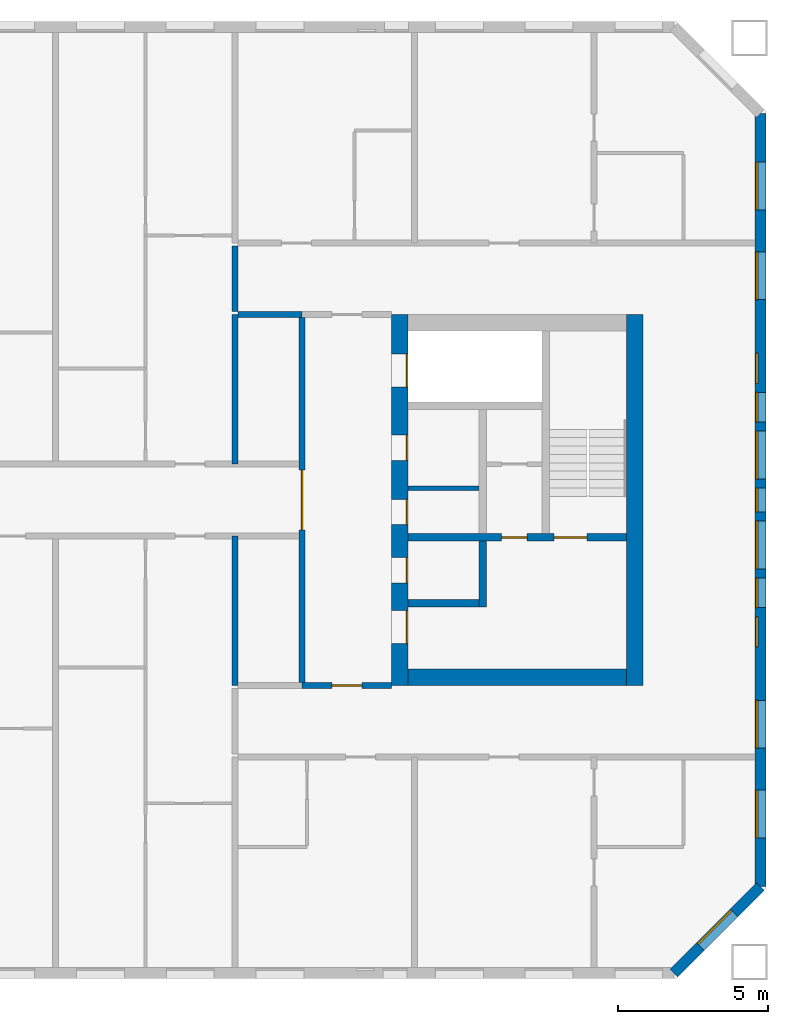
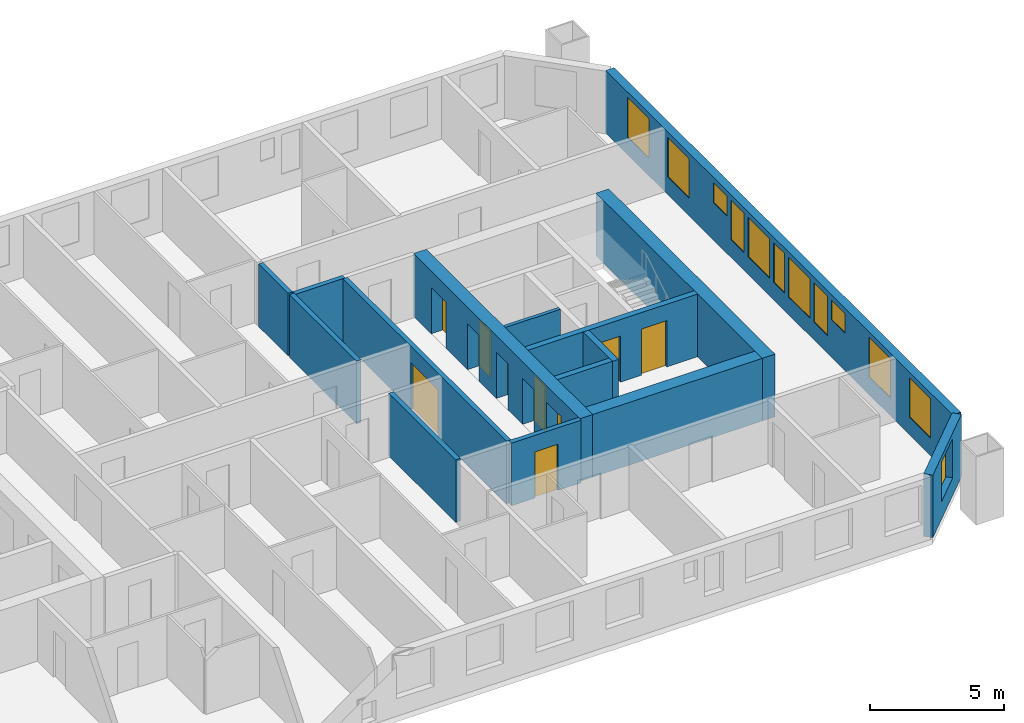
# One storey, part 13 of 16: 15 walls, 12 windows, 9 doors, 21 openings.
"""IFC4 building model written with IfcOpenShell, lengths in metres."""

from ifc_helpers import new_model, si_unit, direction, frame, frame_2d, origin, place, context, subcontext, project, spatial, rectangle, extrude, material, layer, layer_set, type_object, element, fill, save


model = new_model("IFC4")

# Units and contexts
model_context = context("Model", 3, precision=1e-05, world=origin(), true_north=direction((0.0, 1.0)))
body_context = subcontext(model_context, "Body", "Model", "MODEL_VIEW")
ifc_project = project(units=[si_unit("LENGTHUNIT", "METRE"), si_unit("AREAUNIT", "SQUARE_METRE"), si_unit("VOLUMEUNIT", "CUBIC_METRE"), si_unit("PLANEANGLEUNIT", "RADIAN"), si_unit("MASSUNIT", "GRAM", prefix="KILO")], contexts=[model_context])

# Site, building, storey
site_placement = place(None, origin())
site = spatial("IfcSite", under=ifc_project, at=site_placement, CompositionType="ELEMENT")
building_placement = place(site_placement, origin())
building = spatial("IfcBuilding", under=site, at=building_placement, Name="Tuart Gate Housing", CompositionType="ELEMENT")
storey_placement = place(building_placement, frame((0.0, 0.0, 133.0)))
storey = spatial("IfcBuildingStorey", under=building, at=storey_placement, Name="L37", CompositionType="ELEMENT", Elevation=133.0)

# Wall, opening, window
ifc_material_1 = material(Name="Brick", Category="masonry")
ifc_layer_1 = layer(ifc_material_1, 0.360107421875)
ifc_layer_set_1 = layer_set([ifc_layer_1], Name="Brick pier and spandrel wall 360")
wall_type_1 = type_object("IfcWallType", Name="Brick pier and spandrel wall 360", PredefinedType="STANDARD", material=ifc_layer_set_1)
wall_1_placement = place(storey_placement, frame((169.67529296875, 54.179931640625, 0.0), z_axis=(0.0, 0.0, 1.0), x_axis=(0.707106781187, 0.707106781187, 0.0)))
wall_1 = element("IfcWall", 1, at=wall_1_placement, inside=storey, type_object=wall_type_1, Name="External wall B-SE L37", PredefinedType="STANDARD", context=body_context, shape_type="SweptSolid", body=[
    extrude(rectangle(XDim=4.09375, YDim=0.360107421875, at=frame_2d((2.046875, 0.0))), origin(), (0.0, 0.0, 1.0), 2.85009765625),
])
opening_1_placement = place(wall_1_placement, frame((1.2470703125, 0.0, 0.800048828125)))
opening_1 = element("IfcOpeningElement", 2, at=opening_1_placement, cuts=wall_1, Name="Opening W1", PredefinedType="OPENING", context=body_context, shape_type="SweptSolid", body=[
    extrude(rectangle(XDim=1.60009765625, YDim=1.800048828125, at=frame_2d((0.800048828125, 0.89990234375))), frame((0.0, 0.18994140625, 0.0), z_axis=(0.0, -1.0, 0.0), x_axis=(1.0, 0.0, 0.0)), (0.0, 0.0, 1.0), 0.380126953125),
])
ifc_material_2 = material(Name="Aluminium frame with clear glass", Category="aluminium")
window_type_1 = type_object("IfcWindowType", Name="Punched window 1600 x 1800", PartitioningType="SINGLE_PANEL", PredefinedType="WINDOW", material=ifc_material_2)
window_1_placement = place(opening_1_placement, origin())
window_1 = element("IfcWindow", 3, at=window_1_placement, inside=storey, type_object=window_type_1, Name="Window W1", OverallHeight=1.800048828125, OverallWidth=1.60009765625, PartitioningType="SINGLE_PANEL", PredefinedType="WINDOW", context=body_context, shape_type="SweptSolid", body=[
    extrude(rectangle(XDim=1.60009765625, YDim=1.800048828125, at=frame_2d((0.800048828125, 0.89990234375))), frame((0.0, 0.150146484375, 0.0), z_axis=(0.0, -1.0, 0.0), x_axis=(1.0, 0.0, 0.0)), (0.0, 0.0, 1.0), 0.06005859375),
])
fill(opening_1, window_1)

# Wall, openings, windows
wall_2_placement = place(storey_placement, frame((172.570068359375, 57.07470703125, 0.0), z_axis=(0.0, 0.0, 1.0), x_axis=(0.0, 1.0, 0.0)))
wall_2 = element("IfcWall", 4, at=wall_2_placement, inside=storey, type_object=wall_type_1, Name="External wall B-E L37", PredefinedType="STANDARD", context=body_context, shape_type="SweptSolid", body=[
    extrude(rectangle(XDim=25.850830078125, YDim=0.360107421875, at=frame_2d((12.92529296875, 0.0))), origin(), (0.0, 0.0, 1.0), 2.85009765625),
])
opening_2_placement = place(wall_2_placement, frame((1.62548828125, 0.0, 0.800048828125)))
opening_2 = element("IfcOpeningElement", 5, at=opening_2_placement, cuts=wall_2, Name="Opening W1", PredefinedType="OPENING", context=body_context, shape_type="SweptSolid", body=[
    extrude(rectangle(XDim=1.60009765625, YDim=1.800048828125, at=frame_2d((0.800048828125, 0.89990234375))), frame((0.0, 0.18994140625, 0.0), z_axis=(0.0, -1.0, 0.0), x_axis=(1.0, 0.0, 0.0)), (0.0, 0.0, 1.0), 0.380126953125),
])
opening_3_placement = place(wall_2_placement, frame((4.62548828125, 0.0, 0.800048828125)))
opening_3 = element("IfcOpeningElement", 6, at=opening_3_placement, cuts=wall_2, Name="Opening W1", PredefinedType="OPENING", context=body_context, shape_type="SweptSolid", body=[
    extrude(rectangle(XDim=1.60009765625, YDim=1.800048828125, at=frame_2d((0.800048828125, 0.89990234375))), frame((0.0, 0.18994140625, 0.0), z_axis=(0.0, -1.0, 0.0), x_axis=(1.0, 0.0, 0.0)), (0.0, 0.0, 1.0), 0.380126953125),
])
opening_4_placement = place(wall_2_placement, frame((8.025390625, 0.0, 1.699951171875)))
opening_4 = element("IfcOpeningElement", 7, at=opening_4_placement, cuts=wall_2, Name="Opening W1U", PredefinedType="OPENING", context=body_context, shape_type="SweptSolid", body=[
    extrude(rectangle(XDim=1.0, YDim=0.89990234375, at=frame_2d((0.5, 0.449951171875))), frame((0.0, 0.18994140625, 0.0), z_axis=(0.0, -1.0, 0.0), x_axis=(1.0, 0.0, 0.0)), (0.0, 0.0, 1.0), 0.380126953125),
])
opening_5_placement = place(wall_2_placement, frame((10.62548828125, 0.0, 0.800048828125)))
opening_5 = element("IfcOpeningElement", 8, at=opening_5_placement, cuts=wall_2, Name="Opening W1", PredefinedType="OPENING", context=body_context, shape_type="SweptSolid", body=[
    extrude(rectangle(XDim=1.60009765625, YDim=1.800048828125, at=frame_2d((0.800048828125, 0.89990234375))), frame((0.0, 0.18994140625, 0.0), z_axis=(0.0, -1.0, 0.0), x_axis=(1.0, 0.0, 0.0)), (0.0, 0.0, 1.0), 0.380126953125),
])
opening_6_placement = place(wall_2_placement, frame((13.62548828125, 0.0, 0.800048828125)))
opening_6 = element("IfcOpeningElement", 9, at=opening_6_placement, cuts=wall_2, Name="Opening W1", PredefinedType="OPENING", context=body_context, shape_type="SweptSolid", body=[
    extrude(rectangle(XDim=1.60009765625, YDim=1.800048828125, at=frame_2d((0.800048828125, 0.89990234375))), frame((0.0, 0.18994140625, 0.0), z_axis=(0.0, -1.0, 0.0), x_axis=(1.0, 0.0, 0.0)), (0.0, 0.0, 1.0), 0.380126953125),
])
opening_7_placement = place(wall_2_placement, frame((9.325439453125, 0.0, 0.800048828125)))
opening_7 = element("IfcOpeningElement", 10, at=opening_7_placement, cuts=wall_2, Name="Opening W1C", PredefinedType="OPENING", context=body_context, shape_type="SweptSolid", body=[
    extrude(rectangle(XDim=1.0, YDim=1.800048828125, at=frame_2d((0.5, 0.89990234375))), frame((0.0, 0.18994140625, 0.0), z_axis=(0.0, -1.0, 0.0), x_axis=(1.0, 0.0, 0.0)), (0.0, 0.0, 1.0), 0.380126953125),
])
opening_8_placement = place(wall_2_placement, frame((19.62548828125, 0.0, 0.800048828125)))
opening_8 = element("IfcOpeningElement", 11, at=opening_8_placement, cuts=wall_2, Name="Opening W1", PredefinedType="OPENING", context=body_context, shape_type="SweptSolid", body=[
    extrude(rectangle(XDim=1.60009765625, YDim=1.800048828125, at=frame_2d((0.800048828125, 0.89990234375))), frame((0.0, 0.18994140625, 0.0), z_axis=(0.0, -1.0, 0.0), x_axis=(1.0, 0.0, 0.0)), (0.0, 0.0, 1.0), 0.380126953125),
])
opening_9_placement = place(wall_2_placement, frame((22.62548828125, 0.0, 0.800048828125)))
opening_9 = element("IfcOpeningElement", 12, at=opening_9_placement, cuts=wall_2, Name="Opening W1", PredefinedType="OPENING", context=body_context, shape_type="SweptSolid", body=[
    extrude(rectangle(XDim=1.60009765625, YDim=1.800048828125, at=frame_2d((0.800048828125, 0.89990234375))), frame((0.0, 0.18994140625, 0.0), z_axis=(0.0, -1.0, 0.0), x_axis=(1.0, 0.0, 0.0)), (0.0, 0.0, 1.0), 0.380126953125),
])
opening_10_placement = place(wall_2_placement, frame((12.525390625, 0.0, 0.800048828125)))
opening_10 = element("IfcOpeningElement", 13, at=opening_10_placement, cuts=wall_2, Name="Opening W1D", PredefinedType="OPENING", context=body_context, shape_type="SweptSolid", body=[
    extrude(rectangle(XDim=0.800048828125, YDim=1.800048828125, at=frame_2d((0.39990234375, 0.89990234375))), frame((0.0, 0.18994140625, 0.0), z_axis=(0.0, -1.0, 0.0), x_axis=(1.0, 0.0, 0.0)), (0.0, 0.0, 1.0), 0.380126953125),
])
opening_11_placement = place(wall_2_placement, frame((15.525390625, 0.0, 0.800048828125)))
opening_11 = element("IfcOpeningElement", 14, at=opening_11_placement, cuts=wall_2, Name="Opening W1C", PredefinedType="OPENING", context=body_context, shape_type="SweptSolid", body=[
    extrude(rectangle(XDim=1.0, YDim=1.800048828125, at=frame_2d((0.5, 0.89990234375))), frame((0.0, 0.18994140625, 0.0), z_axis=(0.0, -1.0, 0.0), x_axis=(1.0, 0.0, 0.0)), (0.0, 0.0, 1.0), 0.380126953125),
])
opening_12_placement = place(wall_2_placement, frame((16.825439453125, 0.0, 1.699951171875)))
opening_12 = element("IfcOpeningElement", 15, at=opening_12_placement, cuts=wall_2, Name="Opening W1U", PredefinedType="OPENING", context=body_context, shape_type="SweptSolid", body=[
    extrude(rectangle(XDim=1.0, YDim=0.89990234375, at=frame_2d((0.5, 0.449951171875))), frame((0.0, 0.18994140625, 0.0), z_axis=(0.0, -1.0, 0.0), x_axis=(1.0, 0.0, 0.0)), (0.0, 0.0, 1.0), 0.380126953125),
])
ifc_material_3 = material(Name="Aluminium frame with clear glass", Category="aluminium")
window_type_2 = type_object("IfcWindowType", Name="Punched window 1000 x 1800", PartitioningType="SINGLE_PANEL", PredefinedType="WINDOW", material=ifc_material_3)
window_2_placement = place(opening_7_placement, origin())
window_2 = element("IfcWindow", 16, at=window_2_placement, inside=storey, type_object=window_type_2, Name="Window W1C", OverallHeight=1.800048828125, OverallWidth=1.0, PartitioningType="SINGLE_PANEL", PredefinedType="WINDOW", context=body_context, shape_type="SweptSolid", body=[
    extrude(rectangle(XDim=1.0, YDim=1.800048828125, at=frame_2d((0.5, 0.89990234375))), frame((0.0, 0.150146484375, 0.0), z_axis=(0.0, -1.0, 0.0), x_axis=(1.0, 0.0, 0.0)), (0.0, 0.0, 1.0), 0.06005859375),
])
fill(opening_7, window_2)
window_3_placement = place(opening_11_placement, origin())
window_3 = element("IfcWindow", 17, at=window_3_placement, inside=storey, type_object=window_type_2, Name="Window W1C", OverallHeight=1.800048828125, OverallWidth=1.0, PartitioningType="SINGLE_PANEL", PredefinedType="WINDOW", context=body_context, shape_type="SweptSolid", body=[
    extrude(rectangle(XDim=1.0, YDim=1.800048828125, at=frame_2d((0.5, 0.89990234375))), frame((0.0, 0.150146484375, 0.0), z_axis=(0.0, -1.0, 0.0), x_axis=(1.0, 0.0, 0.0)), (0.0, 0.0, 1.0), 0.06005859375),
])
fill(opening_11, window_3)
ifc_material_4 = material(Name="Aluminium frame with clear glass", Category="aluminium")
window_type_3 = type_object("IfcWindowType", Name="Punched window 1000 x 900", PartitioningType="SINGLE_PANEL", PredefinedType="WINDOW", material=ifc_material_4)
window_4_placement = place(opening_4_placement, origin())
window_4 = element("IfcWindow", 18, at=window_4_placement, inside=storey, type_object=window_type_3, Name="Window W1U", OverallHeight=0.89990234375, OverallWidth=1.0, PartitioningType="SINGLE_PANEL", PredefinedType="WINDOW", context=body_context, shape_type="SweptSolid", body=[
    extrude(rectangle(XDim=1.0, YDim=0.89990234375, at=frame_2d((0.5, 0.449951171875))), frame((0.0, 0.150146484375, 0.0), z_axis=(0.0, -1.0, 0.0), x_axis=(1.0, 0.0, 0.0)), (0.0, 0.0, 1.0), 0.06005859375),
])
fill(opening_4, window_4)
window_5_placement = place(opening_12_placement, origin())
window_5 = element("IfcWindow", 19, at=window_5_placement, inside=storey, type_object=window_type_3, Name="Window W1U", OverallHeight=0.89990234375, OverallWidth=1.0, PartitioningType="SINGLE_PANEL", PredefinedType="WINDOW", context=body_context, shape_type="SweptSolid", body=[
    extrude(rectangle(XDim=1.0, YDim=0.89990234375, at=frame_2d((0.5, 0.449951171875))), frame((0.0, 0.150146484375, 0.0), z_axis=(0.0, -1.0, 0.0), x_axis=(1.0, 0.0, 0.0)), (0.0, 0.0, 1.0), 0.06005859375),
])
fill(opening_12, window_5)
window_6_placement = place(opening_2_placement, origin())
window_6 = element("IfcWindow", 20, at=window_6_placement, inside=storey, type_object=window_type_1, Name="Window W1", OverallHeight=1.800048828125, OverallWidth=1.60009765625, PartitioningType="SINGLE_PANEL", PredefinedType="WINDOW", context=body_context, shape_type="SweptSolid", body=[
    extrude(rectangle(XDim=1.60009765625, YDim=1.800048828125, at=frame_2d((0.800048828125, 0.89990234375))), frame((0.0, 0.150146484375, 0.0), z_axis=(0.0, -1.0, 0.0), x_axis=(1.0, 0.0, 0.0)), (0.0, 0.0, 1.0), 0.06005859375),
])
fill(opening_2, window_6)
window_7_placement = place(opening_3_placement, origin())
window_7 = element("IfcWindow", 21, at=window_7_placement, inside=storey, type_object=window_type_1, Name="Window W1", OverallHeight=1.800048828125, OverallWidth=1.60009765625, PartitioningType="SINGLE_PANEL", PredefinedType="WINDOW", context=body_context, shape_type="SweptSolid", body=[
    extrude(rectangle(XDim=1.60009765625, YDim=1.800048828125, at=frame_2d((0.800048828125, 0.89990234375))), frame((0.0, 0.150146484375, 0.0), z_axis=(0.0, -1.0, 0.0), x_axis=(1.0, 0.0, 0.0)), (0.0, 0.0, 1.0), 0.06005859375),
])
fill(opening_3, window_7)
window_8_placement = place(opening_5_placement, origin())
window_8 = element("IfcWindow", 22, at=window_8_placement, inside=storey, type_object=window_type_1, Name="Window W1", OverallHeight=1.800048828125, OverallWidth=1.60009765625, PartitioningType="SINGLE_PANEL", PredefinedType="WINDOW", context=body_context, shape_type="SweptSolid", body=[
    extrude(rectangle(XDim=1.60009765625, YDim=1.800048828125, at=frame_2d((0.800048828125, 0.89990234375))), frame((0.0, 0.150146484375, 0.0), z_axis=(0.0, -1.0, 0.0), x_axis=(1.0, 0.0, 0.0)), (0.0, 0.0, 1.0), 0.06005859375),
])
fill(opening_5, window_8)
window_9_placement = place(opening_6_placement, origin())
window_9 = element("IfcWindow", 23, at=window_9_placement, inside=storey, type_object=window_type_1, Name="Window W1", OverallHeight=1.800048828125, OverallWidth=1.60009765625, PartitioningType="SINGLE_PANEL", PredefinedType="WINDOW", context=body_context, shape_type="SweptSolid", body=[
    extrude(rectangle(XDim=1.60009765625, YDim=1.800048828125, at=frame_2d((0.800048828125, 0.89990234375))), frame((0.0, 0.150146484375, 0.0), z_axis=(0.0, -1.0, 0.0), x_axis=(1.0, 0.0, 0.0)), (0.0, 0.0, 1.0), 0.06005859375),
])
fill(opening_6, window_9)
window_10_placement = place(opening_8_placement, origin())
window_10 = element("IfcWindow", 24, at=window_10_placement, inside=storey, type_object=window_type_1, Name="Window W1", OverallHeight=1.800048828125, OverallWidth=1.60009765625, PartitioningType="SINGLE_PANEL", PredefinedType="WINDOW", context=body_context, shape_type="SweptSolid", body=[
    extrude(rectangle(XDim=1.60009765625, YDim=1.800048828125, at=frame_2d((0.800048828125, 0.89990234375))), frame((0.0, 0.150146484375, 0.0), z_axis=(0.0, -1.0, 0.0), x_axis=(1.0, 0.0, 0.0)), (0.0, 0.0, 1.0), 0.06005859375),
])
fill(opening_8, window_10)
window_11_placement = place(opening_9_placement, origin())
window_11 = element("IfcWindow", 25, at=window_11_placement, inside=storey, type_object=window_type_1, Name="Window W1", OverallHeight=1.800048828125, OverallWidth=1.60009765625, PartitioningType="SINGLE_PANEL", PredefinedType="WINDOW", context=body_context, shape_type="SweptSolid", body=[
    extrude(rectangle(XDim=1.60009765625, YDim=1.800048828125, at=frame_2d((0.800048828125, 0.89990234375))), frame((0.0, 0.150146484375, 0.0), z_axis=(0.0, -1.0, 0.0), x_axis=(1.0, 0.0, 0.0)), (0.0, 0.0, 1.0), 0.06005859375),
])
fill(opening_9, window_11)
ifc_material_5 = material(Name="Aluminium frame with clear glass", Category="aluminium")
window_type_4 = type_object("IfcWindowType", Name="Punched window 800 x 1800", PartitioningType="SINGLE_PANEL", PredefinedType="WINDOW", material=ifc_material_5)
window_12_placement = place(opening_10_placement, origin())
window_12 = element("IfcWindow", 26, at=window_12_placement, inside=storey, type_object=window_type_4, Name="Window W1D", OverallHeight=1.800048828125, OverallWidth=0.800048828125, PartitioningType="SINGLE_PANEL", PredefinedType="WINDOW", context=body_context, shape_type="SweptSolid", body=[
    extrude(rectangle(XDim=0.800048828125, YDim=1.800048828125, at=frame_2d((0.39990234375, 0.89990234375))), frame((0.0, 0.150146484375, 0.0), z_axis=(0.0, -1.0, 0.0), x_axis=(1.0, 0.0, 0.0)), (0.0, 0.0, 1.0), 0.06005859375),
])
fill(opening_10, window_12)

# Wall
ifc_material_6 = material(Name="Plasterboard partition")
ifc_layer_2 = layer(ifc_material_6, 0.14990234375)
ifc_layer_set_2 = layer_set([ifc_layer_2], Name="Core partition 150")
wall_type_2 = type_object("IfcWallType", Name="Core partition 150", PredefinedType="PARTITIONING", material=ifc_layer_set_2)
wall_3_placement = place(storey_placement, frame((160.7900390625, 70.39990234375, 0.0), z_axis=(0.0, 0.0, 1.0), x_axis=(1.0, 0.0, 0.0)))
element("IfcWall", 27, at=wall_3_placement, inside=storey, type_object=wall_type_2, Name="Core partition BK.3", PredefinedType="PARTITIONING", context=body_context, shape_type="SweptSolid", body=[
    extrude(rectangle(XDim=2.375, YDim=0.14990234375, at=frame_2d((1.1875, 0.0))), origin(), (0.0, 0.0, 1.0), 2.85009765625),
])

# Wall, openings, doors
ifc_material_7 = material(Name="Concrete C50", Category="concrete")
ifc_layer_3 = layer(ifc_material_7, 0.25)
ifc_layer_set_3 = layer_set([ifc_layer_3], Name="Core wall 250 C50")
wall_type_3 = type_object("IfcWallType", Name="Core wall 250 C50", PredefinedType="SHEAR", material=ifc_layer_set_3)
wall_4_placement = place(storey_placement, frame((160.7900390625, 68.75, 0.0), z_axis=(0.0, 0.0, 1.0), x_axis=(1.0, 0.0, 0.0)))
wall_4 = element("IfcWall", 28, at=wall_4_placement, inside=storey, type_object=wall_type_3, Name="Core wall BK.4", PredefinedType="SHEAR", context=body_context, shape_type="SweptSolid", body=[
    extrude(rectangle(XDim=7.300048828125, YDim=0.25, at=frame_2d((3.64990234375, 0.0))), origin(), (0.0, 0.0, 1.0), 2.85009765625),
])
opening_13_placement = place(wall_4_placement, frame((4.875, 0.0, 0.0)))
opening_13 = element("IfcOpeningElement", 29, at=opening_13_placement, cuts=wall_4, Name="Opening D1498", PredefinedType="OPENING", context=body_context, shape_type="SweptSolid", body=[
    extrude(rectangle(XDim=1.10009765625, YDim=2.10009765625, at=frame_2d((0.550048828125, 1.050048828125))), frame((0.0, 0.135009765625, 0.0), z_axis=(0.0, -1.0, 0.0), x_axis=(1.0, 0.0, 0.0)), (0.0, 0.0, 1.0), 0.27001953125),
])
opening_14_placement = place(wall_4_placement, frame((3.125, 0.0, 0.0)))
opening_14 = element("IfcOpeningElement", 30, at=opening_14_placement, cuts=wall_4, Name="Opening D1497", PredefinedType="OPENING", context=body_context, shape_type="SweptSolid", body=[
    extrude(rectangle(XDim=0.85009765625, YDim=2.10009765625, at=frame_2d((0.425048828125, 1.050048828125))), frame((0.0, 0.135009765625, 0.0), z_axis=(0.0, -1.0, 0.0), x_axis=(1.0, 0.0, 0.0)), (0.0, 0.0, 1.0), 0.27001953125),
])
ifc_material_8 = material(Name="Steel fire door", Category="steel")
door_type_1 = type_object("IfcDoorType", Name="Riser door 850 x 2100", OperationType="SINGLE_SWING_LEFT", PredefinedType="DOOR", material=ifc_material_8)
door_1_placement = place(opening_14_placement, origin())
door_1 = element("IfcDoor", 31, at=door_1_placement, inside=storey, type_object=door_type_1, Name="Service room door BK.W1", OperationType="SINGLE_SWING_LEFT", OverallHeight=2.10009765625, OverallWidth=0.85009765625, PredefinedType="DOOR", context=body_context, shape_type="SweptSolid", body=[
    extrude(rectangle(XDim=0.85009765625, YDim=2.10009765625, at=frame_2d((0.425048828125, 1.050048828125))), frame((0.0, 0.02490234375, 0.0), z_axis=(0.0, -1.0, 0.0), x_axis=(1.0, 0.0, 0.0)), (0.0, 0.0, 1.0), 0.050048828125),
])
fill(opening_14, door_1)
ifc_material_9 = material(Name="Steel fire door", Category="steel")
door_type_2 = type_object("IfcDoorType", Name="Stair door 1100 x 2100", OperationType="SINGLE_SWING_LEFT", PredefinedType="DOOR", material=ifc_material_9)
door_2_placement = place(opening_13_placement, origin())
door_2 = element("IfcDoor", 32, at=door_2_placement, inside=storey, type_object=door_type_2, Name="Stair door BK.SD", OperationType="SINGLE_SWING_LEFT", OverallHeight=2.10009765625, OverallWidth=1.10009765625, PredefinedType="DOOR", context=body_context, shape_type="SweptSolid", body=[
    extrude(rectangle(XDim=1.10009765625, YDim=2.10009765625, at=frame_2d((0.550048828125, 1.050048828125))), frame((0.0, 0.02490234375, 0.0), z_axis=(0.0, -1.0, 0.0), x_axis=(1.0, 0.0, 0.0)), (0.0, 0.0, 1.0), 0.050048828125),
])
fill(opening_13, door_2)

# Walls
wall_5_placement = place(storey_placement, frame((160.7900390625, 66.550048828125, 0.0), z_axis=(0.0, 0.0, 1.0), x_axis=(1.0, 0.0, 0.0)))
element("IfcWall", 33, at=wall_5_placement, inside=storey, type_object=wall_type_3, Name="Core wall BK.5", PredefinedType="SHEAR", context=body_context, shape_type="SweptSolid", body=[
    extrude(rectangle(XDim=2.375, YDim=0.25, at=frame_2d((1.1875, 0.0))), origin(), (0.0, 0.0, 1.0), 2.85009765625),
])
wall_6_placement = place(storey_placement, frame((163.2900390625, 68.625, 0.0), z_axis=(0.0, 0.0, 1.0), x_axis=(0.0, -1.0, 0.0)))
element("IfcWall", 34, at=wall_6_placement, inside=storey, type_object=wall_type_3, Name="Core wall BK.7", PredefinedType="SHEAR", context=body_context, shape_type="SweptSolid", body=[
    extrude(rectangle(XDim=2.199951171875, YDim=0.25, at=frame_2d((1.10009765625, 0.0))), origin(), (0.0, 0.0, 1.0), 2.85009765625),
])

# Wall, openings, doors
ifc_material_10 = material(Name="Concrete C50", Category="concrete")
ifc_layer_4 = layer(ifc_material_10, 0.550048828125)
ifc_layer_set_4 = layer_set([ifc_layer_4], Name="Core wall 550 C50")
wall_type_4 = type_object("IfcWallType", Name="Core wall 550 C50", PredefinedType="SHEAR", material=ifc_layer_set_4)
wall_7_placement = place(storey_placement, frame((160.514892578125, 76.199951171875, 0.0), z_axis=(0.0, 0.0, 1.0), x_axis=(0.0, -1.0, 0.0)))
wall_7 = element("IfcWall", 35, at=wall_7_placement, inside=storey, type_object=wall_type_4, Name="Core wall BK front", PredefinedType="SHEAR", context=body_context, shape_type="SweptSolid", body=[
    extrude(rectangle(XDim=12.39990234375, YDim=0.550048828125, at=frame_2d((6.199951171875, 0.0))), origin(), (0.0, 0.0, 1.0), 2.85009765625),
])
opening_15_placement = place(wall_7_placement, frame((1.324951171875, 0.0, 0.0)))
opening_15 = element("IfcOpeningElement", 36, at=opening_15_placement, cuts=wall_7, Name="Opening LD-FB2", PredefinedType="OPENING", context=body_context, shape_type="SweptSolid", body=[
    extrude(rectangle(XDim=1.10009765625, YDim=2.10009765625, at=frame_2d((0.550048828125, 1.050048828125))), frame((0.0, 0.284912109375, 0.0), z_axis=(0.0, -1.0, 0.0), x_axis=(1.0, 0.0, 0.0)), (0.0, 0.0, 1.0), 0.570068359375),
])
opening_16_placement = place(wall_7_placement, frame((4.02490234375, 0.0, 0.0)))
opening_16 = element("IfcOpeningElement", 37, at=opening_16_placement, cuts=wall_7, Name="Opening D1492", PredefinedType="OPENING", context=body_context, shape_type="SweptSolid", body=[
    extrude(rectangle(XDim=0.85009765625, YDim=2.10009765625, at=frame_2d((0.425048828125, 1.050048828125))), frame((0.0, 0.284912109375, 0.0), z_axis=(0.0, -1.0, 0.0), x_axis=(1.0, 0.0, 0.0)), (0.0, 0.0, 1.0), 0.570068359375),
])
opening_17_placement = place(wall_7_placement, frame((6.175048828125, 0.0, 0.0)))
opening_17 = element("IfcOpeningElement", 38, at=opening_17_placement, cuts=wall_7, Name="Opening D1493", PredefinedType="OPENING", context=body_context, shape_type="SweptSolid", body=[
    extrude(rectangle(XDim=0.85009765625, YDim=2.10009765625, at=frame_2d((0.425048828125, 1.050048828125))), frame((0.0, 0.284912109375, 0.0), z_axis=(0.0, -1.0, 0.0), x_axis=(1.0, 0.0, 0.0)), (0.0, 0.0, 1.0), 0.570068359375),
])
opening_18_placement = place(wall_7_placement, frame((9.89990234375, 0.0, 0.0)))
opening_18 = element("IfcOpeningElement", 39, at=opening_18_placement, cuts=wall_7, Name="Opening D1491", PredefinedType="OPENING", context=body_context, shape_type="SweptSolid", body=[
    extrude(rectangle(XDim=1.10009765625, YDim=2.10009765625, at=frame_2d((0.550048828125, 1.050048828125))), frame((0.0, 0.284912109375, 0.0), z_axis=(0.0, -1.0, 0.0), x_axis=(1.0, 0.0, 0.0)), (0.0, 0.0, 1.0), 0.570068359375),
])
opening_19_placement = place(wall_7_placement, frame((8.125, 0.0, 0.0)))
opening_19 = element("IfcOpeningElement", 40, at=opening_19_placement, cuts=wall_7, Name="Opening D1494", PredefinedType="OPENING", context=body_context, shape_type="SweptSolid", body=[
    extrude(rectangle(XDim=0.85009765625, YDim=2.10009765625, at=frame_2d((0.425048828125, 1.050048828125))), frame((0.0, 0.284912109375, 0.0), z_axis=(0.0, -1.0, 0.0), x_axis=(1.0, 0.0, 0.0)), (0.0, 0.0, 1.0), 0.570068359375),
])
ifc_material_11 = material(Name="Stainless steel", Category="steel")
door_type_3 = type_object("IfcDoorType", Name="Landing door 1100 x 2100", OperationType="DOUBLE_DOOR_SLIDING", PredefinedType="DOOR", material=ifc_material_11)
door_3_placement = place(opening_15_placement, origin())
door_3 = element("IfcDoor", 41, at=door_3_placement, inside=storey, type_object=door_type_3, Name="Lift landing door FB2", OperationType="DOUBLE_DOOR_SLIDING", OverallHeight=2.10009765625, OverallWidth=1.10009765625, PredefinedType="DOOR", context=body_context, shape_type="SweptSolid", body=[
    extrude(rectangle(XDim=1.10009765625, YDim=2.10009765625, at=frame_2d((0.550048828125, 1.050048828125))), frame((0.0, 0.26025390625, 0.0), z_axis=(0.0, -1.0, 0.0), x_axis=(1.0, 0.0, 0.0)), (0.0, 0.0, 1.0), 0.050048828125),
])
fill(opening_15, door_3)
ifc_material_12 = material(Name="Steel fire door", Category="steel")
door_type_4 = type_object("IfcDoorType", Name="Lobby door 1100 x 2100", OperationType="SINGLE_SWING_LEFT", PredefinedType="DOOR", material=ifc_material_12)
door_4_placement = place(opening_18_placement, origin())
door_4 = element("IfcDoor", 42, at=door_4_placement, inside=storey, type_object=door_type_4, Name="Lobby entry door BK.EN", OperationType="SINGLE_SWING_LEFT", OverallHeight=2.10009765625, OverallWidth=1.10009765625, PredefinedType="DOOR", context=body_context, shape_type="SweptSolid", body=[
    extrude(rectangle(XDim=1.10009765625, YDim=2.10009765625, at=frame_2d((0.550048828125, 1.050048828125))), frame((0.0, 0.26025390625, 0.0), z_axis=(0.0, -1.0, 0.0), x_axis=(1.0, 0.0, 0.0)), (0.0, 0.0, 1.0), 0.050048828125),
])
fill(opening_18, door_4)
ifc_material_13 = material(Name="Steel fire door", Category="steel")
door_type_5 = type_object("IfcDoorType", Name="Service door 850 x 2100", OperationType="SINGLE_SWING_LEFT", PredefinedType="DOOR", material=ifc_material_13)
door_5_placement = place(opening_16_placement, origin())
door_5 = element("IfcDoor", 43, at=door_5_placement, inside=storey, type_object=door_type_5, Name="Service room door BK.FR1", OperationType="SINGLE_SWING_LEFT", OverallHeight=2.10009765625, OverallWidth=0.85009765625, PredefinedType="DOOR", context=body_context, shape_type="SweptSolid", body=[
    extrude(rectangle(XDim=0.85009765625, YDim=2.10009765625, at=frame_2d((0.425048828125, 1.050048828125))), frame((0.0, 0.26025390625, 0.0), z_axis=(0.0, -1.0, 0.0), x_axis=(1.0, 0.0, 0.0)), (0.0, 0.0, 1.0), 0.050048828125),
])
fill(opening_16, door_5)
door_6_placement = place(opening_17_placement, origin())
door_6 = element("IfcDoor", 44, at=door_6_placement, inside=storey, type_object=door_type_5, Name="Service room door BK.FR2", OperationType="SINGLE_SWING_LEFT", OverallHeight=2.10009765625, OverallWidth=0.85009765625, PredefinedType="DOOR", context=body_context, shape_type="SweptSolid", body=[
    extrude(rectangle(XDim=0.85009765625, YDim=2.10009765625, at=frame_2d((0.425048828125, 1.050048828125))), frame((0.0, 0.26025390625, 0.0), z_axis=(0.0, -1.0, 0.0), x_axis=(1.0, 0.0, 0.0)), (0.0, 0.0, 1.0), 0.050048828125),
])
fill(opening_17, door_6)
door_7_placement = place(opening_19_placement, origin())
door_7 = element("IfcDoor", 45, at=door_7_placement, inside=storey, type_object=door_type_5, Name="Service room door BK.T1", OperationType="SINGLE_SWING_LEFT", OverallHeight=2.10009765625, OverallWidth=0.85009765625, PredefinedType="DOOR", context=body_context, shape_type="SweptSolid", body=[
    extrude(rectangle(XDim=0.85009765625, YDim=2.10009765625, at=frame_2d((0.425048828125, 1.050048828125))), frame((0.0, 0.26025390625, 0.0), z_axis=(0.0, -1.0, 0.0), x_axis=(1.0, 0.0, 0.0)), (0.0, 0.0, 1.0), 0.050048828125),
])
fill(opening_19, door_7)

# Walls
wall_8_placement = place(storey_placement, frame((168.364990234375, 76.199951171875, 0.0), z_axis=(0.0, 0.0, 1.0), x_axis=(0.0, -1.0, 0.0)))
element("IfcWall", 46, at=wall_8_placement, inside=storey, type_object=wall_type_4, Name="Core wall BK back", PredefinedType="SHEAR", context=body_context, shape_type="SweptSolid", body=[
    extrude(rectangle(XDim=12.39990234375, YDim=0.550048828125, at=frame_2d((6.199951171875, 0.0))), origin(), (0.0, 0.0, 1.0), 2.85009765625),
])
wall_9_placement = place(storey_placement, frame((160.7900390625, 64.074951171875, 0.0), z_axis=(0.0, 0.0, 1.0), x_axis=(1.0, 0.0, 0.0)))
element("IfcWall", 47, at=wall_9_placement, inside=storey, type_object=wall_type_4, Name="Core wall BK north", PredefinedType="SHEAR", context=body_context, shape_type="SweptSolid", body=[
    extrude(rectangle(XDim=7.300048828125, YDim=0.550048828125, at=frame_2d((3.64990234375, 0.0))), origin(), (0.0, 0.0, 1.0), 2.85009765625),
])
ifc_material_14 = material(Name="Concrete masonry 15 MPa", Category="masonry")
ifc_layer_5 = layer(ifc_material_14, 0.199951171875)
ifc_layer_set_5 = layer_set([ifc_layer_5], Name="Corridor wall masonry 200")
wall_type_5 = type_object("IfcWallType", Name="Corridor wall masonry 200", PredefinedType="PARTITIONING", material=ifc_layer_set_5)
wall_10_placement = place(storey_placement, frame((155.10009765625, 76.199951171875, 0.0), z_axis=(0.0, 0.0, 1.0), x_axis=(1.0, 0.0, 0.0)))
element("IfcWall", 48, at=wall_10_placement, inside=storey, type_object=wall_type_5, Name="Corridor wall masonry 200", PredefinedType="PARTITIONING", context=body_context, shape_type="SweptSolid", body=[
    extrude(rectangle(XDim=2.139892578125, YDim=0.199951171875, at=frame_2d((1.06982421875, 0.0))), origin(), (0.0, 0.0, 1.0), 2.85009765625),
])
wall_11_placement = place(storey_placement, frame((155.0, 76.300048828125, 0.0), z_axis=(0.0, 0.0, 1.0), x_axis=(0.0, 1.0, 0.0)))
element("IfcWall", 49, at=wall_11_placement, inside=storey, type_object=wall_type_5, Name="Corridor wall masonry 200", PredefinedType="PARTITIONING", context=body_context, shape_type="SweptSolid", body=[
    extrude(rectangle(XDim=2.199951171875, YDim=0.199951171875, at=frame_2d((1.10009765625, 0.0))), origin(), (0.0, 0.0, 1.0), 2.85009765625),
])

# Wall, opening, door
ifc_material_15 = material(Name="Concrete masonry 15 MPa", Category="masonry")
ifc_layer_6 = layer(ifc_material_15, 0.199951171875)
ifc_layer_set_6 = layer_set([ifc_layer_6], Name="Enclosure wall masonry 200")
wall_type_6 = type_object("IfcWallType", Name="Enclosure wall masonry 200", PredefinedType="PARTITIONING", material=ifc_layer_set_6)
wall_12_placement = place(storey_placement, frame((157.239990234375, 63.800048828125, 0.0), z_axis=(0.0, 0.0, 1.0), x_axis=(1.0, 0.0, 0.0)))
wall_12 = element("IfcWall", 50, at=wall_12_placement, inside=storey, type_object=wall_type_6, Name="Enclosure wall masonry 200", PredefinedType="PARTITIONING", context=body_context, shape_type="SweptSolid", body=[
    extrude(rectangle(XDim=3.0, YDim=0.199951171875, at=frame_2d((1.5, 0.0))), origin(), (0.0, 0.0, 1.0), 2.85009765625),
])
opening_20_placement = place(wall_12_placement, frame((1.0, 0.0, 0.0)))
opening_20 = element("IfcOpeningElement", 51, at=opening_20_placement, cuts=wall_12, Name="Opening D1500", PredefinedType="OPENING", context=body_context, shape_type="SweptSolid", body=[
    extrude(rectangle(XDim=1.0, YDim=2.10009765625, at=frame_2d((0.5, 1.050048828125))), frame((0.0, 0.10986328125, 0.0), z_axis=(0.0, -1.0, 0.0), x_axis=(1.0, 0.0, 0.0)), (0.0, 0.0, 1.0), 0.219970703125),
])
ifc_material_16 = material(Name="Timber door leaf in steel frame", Category="steel")
door_type_6 = type_object("IfcDoorType", Name="Fire door 1000 RH", OperationType="SINGLE_SWING_RIGHT", PredefinedType="DOOR", material=ifc_material_16)
door_8_placement = place(opening_20_placement, frame((1.0, 0.0, 0.0), z_axis=(0.0, 0.0, 1.0), x_axis=(-1.0, 0.0, 0.0)))
door_8 = element("IfcDoor", 52, at=door_8_placement, inside=storey, type_object=door_type_6, Name="Fire door", OperationType="SINGLE_SWING_RIGHT", OverallHeight=2.10009765625, OverallWidth=1.0, PredefinedType="DOOR", context=body_context, shape_type="SweptSolid", body=[
    extrude(rectangle(XDim=1.0, YDim=2.10009765625, at=frame_2d((0.5, 1.050048828125))), frame((0.0, 0.025146484375, 0.0), z_axis=(0.0, -1.0, 0.0), x_axis=(1.0, 0.0, 0.0)), (0.0, 0.0, 1.0), 0.050048828125),
])
fill(opening_20, door_8)

ifc_material_17 = material(Name="Plasterboard partition")
ifc_layer_7 = layer(ifc_material_17, 0.199951171875)
ifc_layer_set_7 = layer_set([ifc_layer_7], Name="Lobby wall 200")
wall_type_7 = type_object("IfcWallType", Name="Lobby wall 200", PredefinedType="PARTITIONING", material=ifc_layer_set_7)
wall_13_placement = place(storey_placement, frame((157.239990234375, 63.89990234375, 0.0), z_axis=(0.0, 0.0, 1.0), x_axis=(0.0, 1.0, 0.0)))
wall_13 = element("IfcWall", 53, at=wall_13_placement, inside=storey, type_object=wall_type_7, Name="Lift lobby wall BK", PredefinedType="PARTITIONING", context=body_context, shape_type="SweptSolid", body=[
    extrude(rectangle(XDim=12.2001953125, YDim=0.199951171875, at=frame_2d((6.10009765625, 0.0))), origin(), (0.0, 0.0, 1.0), 2.85009765625),
])
opening_21_placement = place(wall_13_placement, frame((5.10009765625, 0.0, 0.0)))
opening_21 = element("IfcOpeningElement", 54, at=opening_21_placement, cuts=wall_13, Name="Opening D1490", PredefinedType="OPENING", context=body_context, shape_type="SweptSolid", body=[
    extrude(rectangle(XDim=2.0, YDim=2.10009765625, at=frame_2d((1.0, 1.050048828125))), frame((0.0, 0.10986328125, 0.0), z_axis=(0.0, -1.0, 0.0), x_axis=(1.0, 0.0, 0.0)), (0.0, 0.0, 1.0), 0.219970703125),
])
ifc_material_18 = material(Name="Steel fire door", Category="steel")
door_type_7 = type_object("IfcDoorType", Name="Smoke door 2000 x 2100", OperationType="DOUBLE_DOOR_SINGLE_SWING", PredefinedType="DOOR", material=ifc_material_18)
door_9_placement = place(opening_21_placement, frame((2.0, 0.0, 0.0), z_axis=(0.0, 0.0, 1.0), x_axis=(-1.0, 0.0, 0.0)))
door_9 = element("IfcDoor", 55, at=door_9_placement, inside=storey, type_object=door_type_7, Name="Lift lobby smoke door BK", OperationType="DOUBLE_DOOR_SINGLE_SWING", OverallHeight=2.10009765625, OverallWidth=2.0, PredefinedType="DOOR", context=body_context, shape_type="SweptSolid", body=[
    extrude(rectangle(XDim=2.0, YDim=2.10009765625, at=frame_2d((1.0, 1.050048828125))), frame((0.0, 0.025146484375, 0.0), z_axis=(0.0, -1.0, 0.0), x_axis=(1.0, 0.0, 0.0)), (0.0, 0.0, 1.0), 0.050048828125),
])
fill(opening_21, door_9)

# Walls
ifc_material_19 = material(Name="Concrete C40", Category="concrete")
ifc_layer_8 = layer(ifc_material_19, 0.199951171875)
ifc_layer_set_8 = layer_set([ifc_layer_8], Name="Party wall concrete C40 200")
wall_type_8 = type_object("IfcWallType", Name="Party wall concrete C40 200", PredefinedType="SOLIDWALL", material=ifc_layer_set_8)
for number, where, z_axis, x_axis, name in (
    (56, (155.0, 63.800048828125, 0.0), (0.0, 0.0, 1.0), (0.0, 1.0, 0.0), "Party wall concrete C40 200"),
    (57, (155.0, 71.199951171875, 0.0), (0.0, 0.0, 1.0), (0.0, 1.0, 0.0), "Party wall concrete C40 200"),
):
    element("IfcWall", number, at=place(storey_placement, frame(where, z_axis=z_axis, x_axis=x_axis)), inside=storey, type_object=wall_type_8, Name=name, PredefinedType="SOLIDWALL", context=body_context, shape_type="SweptSolid", body=[
        extrude(rectangle(XDim=5.0, YDim=0.199951171875, at=frame_2d((2.5, 0.0))), origin(), (0.0, 0.0, 1.0), 2.85009765625),
    ])

save(model, "model.ifc")
